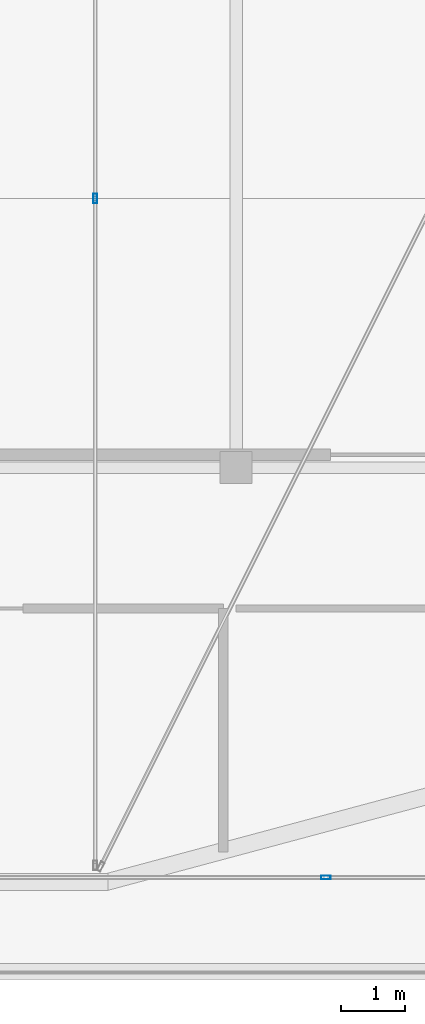
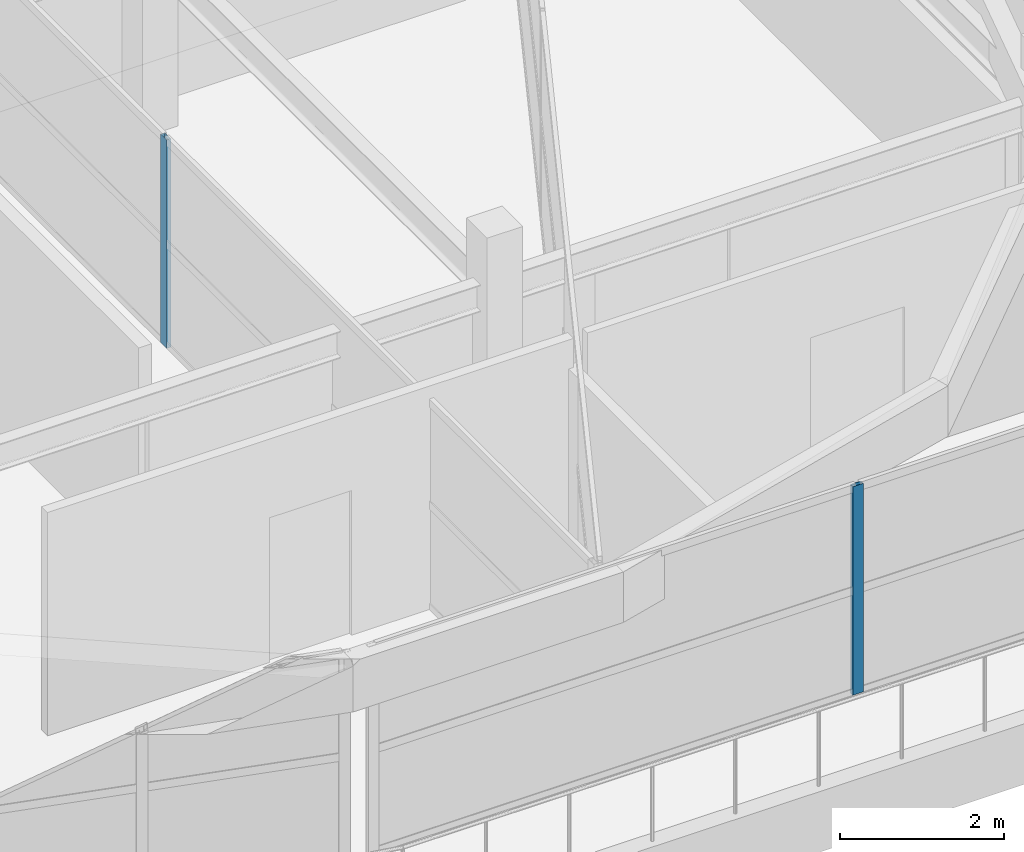
# One storey, part 5 of 15: 2 members, 2 elements without a shape of their own.
"""IFC4 building model written with IfcOpenShell, lengths in metres."""

from ifc_helpers import new_model, si_unit, direction, frame, origin, origin_2d, place, context, subcontext, project, spatial, hollow_rectangle, extrude, material, layer, layer_set, material_profile, profile_set, type_object, element, aggregate, save


model = new_model("IFC4")

# Units and contexts
model_context = context("Model", 3, precision=1e-05, world=origin(), true_north=direction((0.0, 1.0)))
body_context = subcontext(model_context, "Body", "Model", "MODEL_VIEW")
ifc_project = project(units=[si_unit("LENGTHUNIT", "METRE"), si_unit("AREAUNIT", "SQUARE_METRE"), si_unit("VOLUMEUNIT", "CUBIC_METRE"), si_unit("PLANEANGLEUNIT", "RADIAN"), si_unit("MASSUNIT", "GRAM", prefix="KILO")], contexts=[model_context])

# Site, building, storey
site_placement = place(None, origin())
site = spatial("IfcSite", under=ifc_project, at=site_placement, CompositionType="ELEMENT")
building_placement = place(site_placement, origin())
building = spatial("IfcBuilding", under=site, at=building_placement, Name="Zizhar Promenade General Hospital", CompositionType="ELEMENT")
storey_placement = place(building_placement, frame((0.0, 0.0, 43.199951171875)))
storey = spatial("IfcBuildingStorey", under=building, at=storey_placement, Name="Roof", CompositionType="ELEMENT", Elevation=43.199951171875)

# Curtain wall, member
ifc_material_1 = material(Name="Anodised aluminium 6063-T6 and low-E glass", Category="aluminium")
ifc_layer = layer(ifc_material_1, 0.159912109375)
ifc_layer_set = layer_set([ifc_layer], Name="Anodised aluminium 6063-T6 and low-E glass")
curtain_wall_type = type_object("IfcCurtainWallType", Name="CW-WARD-ARC", PredefinedType="NOTDEFINED", material=ifc_layer_set)
curtain_wall_1_placement = place(storey_placement, origin())
curtain_wall_1 = element("IfcCurtainWall", 1, at=curtain_wall_1_placement, inside=storey, type_object=curtain_wall_type, Name="Rooftop Pillow Crown Glazing 03", PredefinedType="NOTDEFINED")
ifc_material_2 = material(Name="Anodised aluminium 6063-T6", Category="aluminium")
ifc_material_profile = material_profile(ifc_material_2, hollow_rectangle(XDim=0.06005859375, YDim=0.14990234375, WallThickness=0.00390625, at=origin_2d()))
ifc_profile_set = profile_set([ifc_material_profile], Name="Anodised aluminium 6063-T6")
member_type = type_object("IfcMemberType", Name="CWM-ALU-150x60", PredefinedType="MULLION", material=ifc_profile_set)
member_1_placement = place(storey_placement, frame((60.199951171875, 12.60009765625, 0.0), z_axis=(0.0, 0.0, 1.0), x_axis=(1.0, 0.0, 0.0)))
member_1 = element("IfcMember", 2, at=member_1_placement, type_object=member_type, Name="CW-12 mullion 2", PredefinedType="MULLION", context=body_context, shape_type="SweptSolid", body=[
    extrude(hollow_rectangle(XDim=0.06005859375, YDim=0.14990234375, WallThickness=0.00390625, at=origin_2d()), origin(), (0.0, 0.0, 1.0), 3.10009765625),
])
aggregate(curtain_wall_1, [member_1])

curtain_wall_2_placement = place(storey_placement, origin())
curtain_wall_2 = element("IfcCurtainWall", 3, at=curtain_wall_2_placement, inside=storey, type_object=curtain_wall_type, Name="Rooftop Pillow Crown Glazing 11", PredefinedType="NOTDEFINED")
member_2_placement = place(storey_placement, frame((63.800048828125, 2.0, 0.0), z_axis=(0.0, 0.0, 1.0), x_axis=(0.0, -1.0, 0.0)))
member_2 = element("IfcMember", 4, at=member_2_placement, type_object=member_type, Name="CW-12 mullion 2", PredefinedType="MULLION", context=body_context, shape_type="SweptSolid", body=[
    extrude(hollow_rectangle(XDim=0.06005859375, YDim=0.14990234375, WallThickness=0.00390625, at=origin_2d()), origin(), (0.0, 0.0, 1.0), 3.10009765625),
])
aggregate(curtain_wall_2, [member_2])

save(model, "model.ifc")
